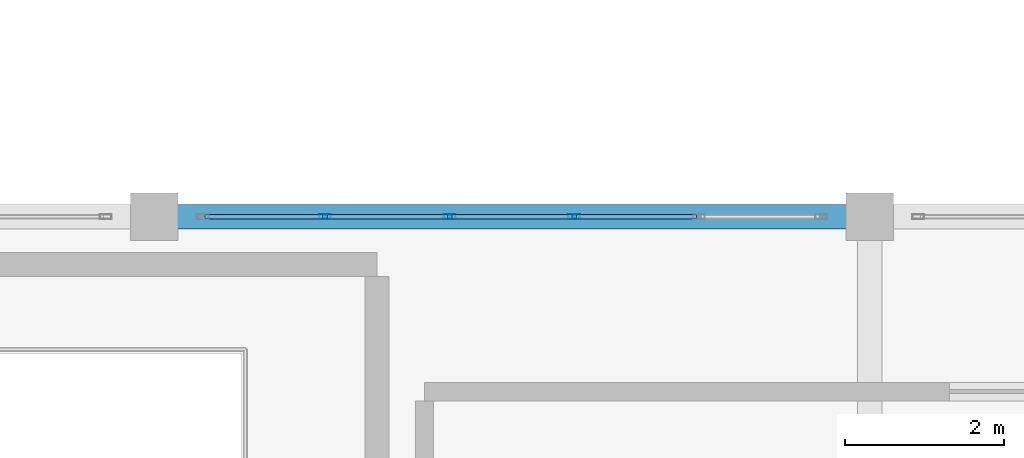
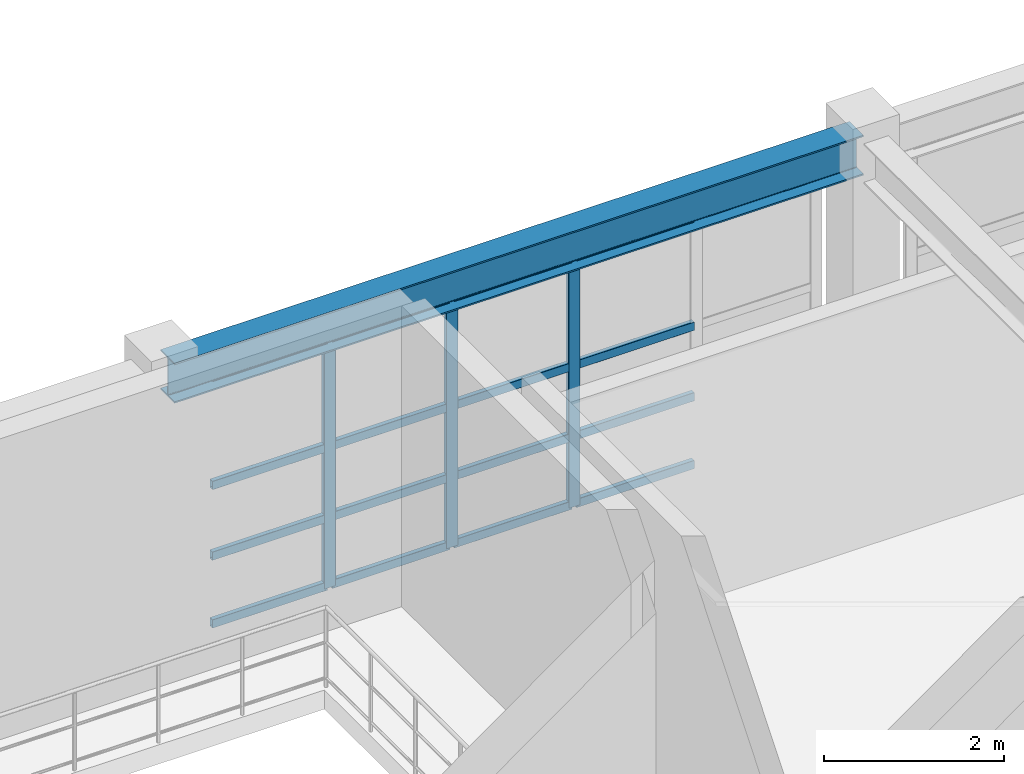
# One storey, part 42 of 130: 19 members, 1 beam, 1 element without a shape of its own.
"""IFC4 building model written with IfcOpenShell, lengths in metres."""

from ifc_helpers import new_model, si_unit, direction, frame, origin, origin_2d, place, context, subcontext, project, spatial, hollow_rectangle, i_section, extrude, material, material_profile, profile_set, type_object, element, aggregate, save


model = new_model("IFC4")

# Units and contexts
model_context = context("Model", 3, precision=1e-05, world=origin(), true_north=direction((0.0, 1.0)))
body_context = subcontext(model_context, "Body", "Model", "MODEL_VIEW")
ifc_project = project(units=[si_unit("LENGTHUNIT", "METRE"), si_unit("AREAUNIT", "SQUARE_METRE"), si_unit("VOLUMEUNIT", "CUBIC_METRE"), si_unit("PLANEANGLEUNIT", "RADIAN"), si_unit("MASSUNIT", "GRAM", prefix="KILO")], contexts=[model_context])

# Site, building, storey
site_placement = place(None, origin())
site = spatial("IfcSite", under=ifc_project, at=site_placement, CompositionType="ELEMENT")
building_placement = place(site_placement, origin())
building = spatial("IfcBuilding", under=site, at=building_placement, Name="Miravela Opera House", CompositionType="ELEMENT")
storey_placement = place(building_placement, frame((0.0, 0.0, 9.52001953125)))
storey = spatial("IfcBuildingStorey", under=building, at=storey_placement, Name="L02", CompositionType="ELEMENT", Elevation=9.52001953125)

# Curtain wall, members
ifc_material_1 = material(Name="Anodised architectural bronze aluminium 6063-T6", Category="aluminium")
curtain_wall_type = type_object("IfcCurtainWallType", Name="ARC-CW-06", PredefinedType="NOTDEFINED", material=ifc_material_1)
curtain_wall_placement = place(storey_placement, origin())
curtain_wall = element("IfcCurtainWall", 1, at=curtain_wall_placement, inside=storey, type_object=curtain_wall_type, Name="Courtyard Arcade Curtain Wall CW-L02-187", PredefinedType="NOTDEFINED")
ifc_material_profile_1 = material_profile(ifc_material_1, hollow_rectangle(XDim=0.06005859375, YDim=0.14990234375, WallThickness=0.00390625, InnerFilletRadius=0.001953125, OuterFilletRadius=0.00390625, at=origin_2d()), Name="CWM-60X150")
ifc_profile_set_1 = profile_set([ifc_material_profile_1])
member_type_1 = type_object("IfcMemberType", Name="ARC-CWM-150", PredefinedType="MULLION", material=ifc_profile_set_1)
member_1_placement = place(storey_placement, frame((128.14794921875, 9.0, 0.0), z_axis=(0.0, 0.0, 1.0), x_axis=(0.0, 1.0, 0.0)))
member_1 = element("IfcMember", 2, at=member_1_placement, type_object=member_type_1, Name="CW-06 mullion 2", PredefinedType="MULLION", context=body_context, shape_type="SweptSolid", body=[
    extrude(hollow_rectangle(XDim=0.06005859375, YDim=0.14990234375, WallThickness=0.00390625, InnerFilletRadius=0.001953125, OuterFilletRadius=0.00390625, at=origin_2d()), origin(), (0.0, 0.0, 1.0), 3.2900390625),
])
member_2_placement = place(storey_placement, frame((129.716064453125, 9.0, 0.0), z_axis=(0.0, 0.0, 1.0), x_axis=(0.0, 1.0, 0.0)))
member_2 = element("IfcMember", 3, at=member_2_placement, type_object=member_type_1, Name="CW-06 mullion 3", PredefinedType="MULLION", context=body_context, shape_type="SweptSolid", body=[
    extrude(hollow_rectangle(XDim=0.06005859375, YDim=0.14990234375, WallThickness=0.00390625, InnerFilletRadius=0.001953125, OuterFilletRadius=0.00390625, at=origin_2d()), origin(), (0.0, 0.0, 1.0), 3.2900390625),
])
member_3_placement = place(storey_placement, frame((131.283935546875, 9.0, 0.0), z_axis=(0.0, 0.0, 1.0), x_axis=(0.0, 1.0, 0.0)))
member_3 = element("IfcMember", 4, at=member_3_placement, type_object=member_type_1, Name="CW-06 mullion 4", PredefinedType="MULLION", context=body_context, shape_type="SweptSolid", body=[
    extrude(hollow_rectangle(XDim=0.06005859375, YDim=0.14990234375, WallThickness=0.00390625, InnerFilletRadius=0.001953125, OuterFilletRadius=0.00390625, at=origin_2d()), origin(), (0.0, 0.0, 1.0), 3.2900390625),
])
ifc_material_profile_2 = material_profile(ifc_material_1, hollow_rectangle(XDim=0.06005859375, YDim=0.114990234375, WallThickness=0.00390625, InnerFilletRadius=0.001953125, OuterFilletRadius=0.00390625, at=origin_2d()), Name="CWT-60X115")
ifc_profile_set_2 = profile_set([ifc_material_profile_2])
member_type_2 = type_object("IfcMemberType", Name="ARC-CWT-115", PredefinedType="USERDEFINED", material=ifc_profile_set_2)
member_4_placement = place(storey_placement, frame((126.639892578125, 9.0, 0.030029296875), z_axis=(1.0, 0.0, 0.0), x_axis=(0.0, 1.0, 0.0)))
member_4 = element("IfcMember", 5, at=member_4_placement, type_object=member_type_2, Name="CW-06 transom 1.1", ObjectType="TRANSOM", PredefinedType="USERDEFINED", context=body_context, shape_type="SweptSolid", body=[
    extrude(hollow_rectangle(XDim=0.06005859375, YDim=0.114990234375, WallThickness=0.00390625, InnerFilletRadius=0.001953125, OuterFilletRadius=0.00390625, at=origin_2d()), origin(), (0.0, 0.0, 1.0), 1.47802734375),
])
member_5_placement = place(storey_placement, frame((126.639892578125, 9.0, 0.949951171875), z_axis=(1.0, 0.0, 0.0), x_axis=(0.0, 1.0, 0.0)))
member_5 = element("IfcMember", 6, at=member_5_placement, type_object=member_type_2, Name="CW-06 transom 1.2", ObjectType="TRANSOM", PredefinedType="USERDEFINED", context=body_context, shape_type="SweptSolid", body=[
    extrude(hollow_rectangle(XDim=0.06005859375, YDim=0.114990234375, WallThickness=0.00390625, InnerFilletRadius=0.001953125, OuterFilletRadius=0.00390625, at=origin_2d()), origin(), (0.0, 0.0, 1.0), 1.47802734375),
])
member_6_placement = place(storey_placement, frame((126.639892578125, 9.0, 1.908203125), z_axis=(1.0, 0.0, 0.0), x_axis=(0.0, 1.0, 0.0)))
member_6 = element("IfcMember", 7, at=member_6_placement, type_object=member_type_2, Name="CW-06 transom 1.3", ObjectType="TRANSOM", PredefinedType="USERDEFINED", context=body_context, shape_type="SweptSolid", body=[
    extrude(hollow_rectangle(XDim=0.06005859375, YDim=0.114990234375, WallThickness=0.00390625, InnerFilletRadius=0.001953125, OuterFilletRadius=0.00390625, at=origin_2d()), origin(), (0.0, 0.0, 1.0), 1.47802734375),
])
member_7_placement = place(storey_placement, frame((126.639892578125, 9.0, 3.260009765625), z_axis=(1.0, 0.0, 0.0), x_axis=(0.0, 1.0, 0.0)))
member_7 = element("IfcMember", 8, at=member_7_placement, type_object=member_type_2, Name="CW-06 transom 1.4", ObjectType="TRANSOM", PredefinedType="USERDEFINED", context=body_context, shape_type="SweptSolid", body=[
    extrude(hollow_rectangle(XDim=0.06005859375, YDim=0.114990234375, WallThickness=0.00390625, InnerFilletRadius=0.001953125, OuterFilletRadius=0.00390625, at=origin_2d()), origin(), (0.0, 0.0, 1.0), 1.47802734375),
])
member_8_placement = place(storey_placement, frame((128.177978515625, 9.0, 0.030029296875), z_axis=(1.0, 0.0, 0.0), x_axis=(0.0, 1.0, 0.0)))
member_8 = element("IfcMember", 9, at=member_8_placement, type_object=member_type_2, Name="CW-06 transom 2.1", ObjectType="TRANSOM", PredefinedType="USERDEFINED", context=body_context, shape_type="SweptSolid", body=[
    extrude(hollow_rectangle(XDim=0.06005859375, YDim=0.114990234375, WallThickness=0.00390625, InnerFilletRadius=0.001953125, OuterFilletRadius=0.00390625, at=origin_2d()), origin(), (0.0, 0.0, 1.0), 1.508056640625),
])
member_9_placement = place(storey_placement, frame((128.177978515625, 9.0, 0.949951171875), z_axis=(1.0, 0.0, 0.0), x_axis=(0.0, 1.0, 0.0)))
member_9 = element("IfcMember", 10, at=member_9_placement, type_object=member_type_2, Name="CW-06 transom 2.2", ObjectType="TRANSOM", PredefinedType="USERDEFINED", context=body_context, shape_type="SweptSolid", body=[
    extrude(hollow_rectangle(XDim=0.06005859375, YDim=0.114990234375, WallThickness=0.00390625, InnerFilletRadius=0.001953125, OuterFilletRadius=0.00390625, at=origin_2d()), origin(), (0.0, 0.0, 1.0), 1.508056640625),
])
member_10_placement = place(storey_placement, frame((128.177978515625, 9.0, 1.908203125), z_axis=(1.0, 0.0, 0.0), x_axis=(0.0, 1.0, 0.0)))
member_10 = element("IfcMember", 11, at=member_10_placement, type_object=member_type_2, Name="CW-06 transom 2.3", ObjectType="TRANSOM", PredefinedType="USERDEFINED", context=body_context, shape_type="SweptSolid", body=[
    extrude(hollow_rectangle(XDim=0.06005859375, YDim=0.114990234375, WallThickness=0.00390625, InnerFilletRadius=0.001953125, OuterFilletRadius=0.00390625, at=origin_2d()), origin(), (0.0, 0.0, 1.0), 1.508056640625),
])
member_11_placement = place(storey_placement, frame((128.177978515625, 9.0, 3.260009765625), z_axis=(1.0, 0.0, 0.0), x_axis=(0.0, 1.0, 0.0)))
member_11 = element("IfcMember", 12, at=member_11_placement, type_object=member_type_2, Name="CW-06 transom 2.4", ObjectType="TRANSOM", PredefinedType="USERDEFINED", context=body_context, shape_type="SweptSolid", body=[
    extrude(hollow_rectangle(XDim=0.06005859375, YDim=0.114990234375, WallThickness=0.00390625, InnerFilletRadius=0.001953125, OuterFilletRadius=0.00390625, at=origin_2d()), origin(), (0.0, 0.0, 1.0), 1.508056640625),
])
member_12_placement = place(storey_placement, frame((129.74609375, 9.0, 0.030029296875), z_axis=(1.0, 0.0, 0.0), x_axis=(0.0, 1.0, 0.0)))
member_12 = element("IfcMember", 13, at=member_12_placement, type_object=member_type_2, Name="CW-06 transom 3.1", ObjectType="TRANSOM", PredefinedType="USERDEFINED", context=body_context, shape_type="SweptSolid", body=[
    extrude(hollow_rectangle(XDim=0.06005859375, YDim=0.114990234375, WallThickness=0.00390625, InnerFilletRadius=0.001953125, OuterFilletRadius=0.00390625, at=origin_2d()), origin(), (0.0, 0.0, 1.0), 1.5078125),
])
member_13_placement = place(storey_placement, frame((129.74609375, 9.0, 0.949951171875), z_axis=(1.0, 0.0, 0.0), x_axis=(0.0, 1.0, 0.0)))
member_13 = element("IfcMember", 14, at=member_13_placement, type_object=member_type_2, Name="CW-06 transom 3.2", ObjectType="TRANSOM", PredefinedType="USERDEFINED", context=body_context, shape_type="SweptSolid", body=[
    extrude(hollow_rectangle(XDim=0.06005859375, YDim=0.114990234375, WallThickness=0.00390625, InnerFilletRadius=0.001953125, OuterFilletRadius=0.00390625, at=origin_2d()), origin(), (0.0, 0.0, 1.0), 1.5078125),
])
member_14_placement = place(storey_placement, frame((129.74609375, 9.0, 1.908203125), z_axis=(1.0, 0.0, 0.0), x_axis=(0.0, 1.0, 0.0)))
member_14 = element("IfcMember", 15, at=member_14_placement, type_object=member_type_2, Name="CW-06 transom 3.3", ObjectType="TRANSOM", PredefinedType="USERDEFINED", context=body_context, shape_type="SweptSolid", body=[
    extrude(hollow_rectangle(XDim=0.06005859375, YDim=0.114990234375, WallThickness=0.00390625, InnerFilletRadius=0.001953125, OuterFilletRadius=0.00390625, at=origin_2d()), origin(), (0.0, 0.0, 1.0), 1.5078125),
])
member_15_placement = place(storey_placement, frame((129.74609375, 9.0, 3.260009765625), z_axis=(1.0, 0.0, 0.0), x_axis=(0.0, 1.0, 0.0)))
member_15 = element("IfcMember", 16, at=member_15_placement, type_object=member_type_2, Name="CW-06 transom 3.4", ObjectType="TRANSOM", PredefinedType="USERDEFINED", context=body_context, shape_type="SweptSolid", body=[
    extrude(hollow_rectangle(XDim=0.06005859375, YDim=0.114990234375, WallThickness=0.00390625, InnerFilletRadius=0.001953125, OuterFilletRadius=0.00390625, at=origin_2d()), origin(), (0.0, 0.0, 1.0), 1.5078125),
])
member_16_placement = place(storey_placement, frame((131.31396484375, 9.0, 0.030029296875), z_axis=(1.0, 0.0, 0.0), x_axis=(0.0, 1.0, 0.0)))
member_16 = element("IfcMember", 17, at=member_16_placement, type_object=member_type_2, Name="CW-06 transom 4.1", ObjectType="TRANSOM", PredefinedType="USERDEFINED", context=body_context, shape_type="SweptSolid", body=[
    extrude(hollow_rectangle(XDim=0.06005859375, YDim=0.114990234375, WallThickness=0.00390625, InnerFilletRadius=0.001953125, OuterFilletRadius=0.00390625, at=origin_2d()), origin(), (0.0, 0.0, 1.0), 1.508056640625),
])
member_17_placement = place(storey_placement, frame((131.31396484375, 9.0, 0.949951171875), z_axis=(1.0, 0.0, 0.0), x_axis=(0.0, 1.0, 0.0)))
member_17 = element("IfcMember", 18, at=member_17_placement, type_object=member_type_2, Name="CW-06 transom 4.2", ObjectType="TRANSOM", PredefinedType="USERDEFINED", context=body_context, shape_type="SweptSolid", body=[
    extrude(hollow_rectangle(XDim=0.06005859375, YDim=0.114990234375, WallThickness=0.00390625, InnerFilletRadius=0.001953125, OuterFilletRadius=0.00390625, at=origin_2d()), origin(), (0.0, 0.0, 1.0), 1.508056640625),
])
member_18_placement = place(storey_placement, frame((131.31396484375, 9.0, 1.908203125), z_axis=(1.0, 0.0, 0.0), x_axis=(0.0, 1.0, 0.0)))
member_18 = element("IfcMember", 19, at=member_18_placement, type_object=member_type_2, Name="CW-06 transom 4.3", ObjectType="TRANSOM", PredefinedType="USERDEFINED", context=body_context, shape_type="SweptSolid", body=[
    extrude(hollow_rectangle(XDim=0.06005859375, YDim=0.114990234375, WallThickness=0.00390625, InnerFilletRadius=0.001953125, OuterFilletRadius=0.00390625, at=origin_2d()), origin(), (0.0, 0.0, 1.0), 1.508056640625),
])
member_19_placement = place(storey_placement, frame((131.31396484375, 9.0, 3.260009765625), z_axis=(1.0, 0.0, 0.0), x_axis=(0.0, 1.0, 0.0)))
member_19 = element("IfcMember", 20, at=member_19_placement, type_object=member_type_2, Name="CW-06 transom 4.4", ObjectType="TRANSOM", PredefinedType="USERDEFINED", context=body_context, shape_type="SweptSolid", body=[
    extrude(hollow_rectangle(XDim=0.06005859375, YDim=0.114990234375, WallThickness=0.00390625, InnerFilletRadius=0.001953125, OuterFilletRadius=0.00390625, at=origin_2d()), origin(), (0.0, 0.0, 1.0), 1.508056640625),
])
aggregate(curtain_wall, [member_1, member_2, member_3, member_4, member_5, member_6, member_7, member_8, member_9, member_10, member_11, member_12, member_13, member_14, member_15, member_16, member_17, member_18, member_19])

# Beam
ifc_material_2 = material(Name="Structural steel ASTM A992 Gr. 50", Category="steel")
ifc_material_profile_3 = material_profile(ifc_material_2, i_section(OverallWidth=0.31201171875, OverallDepth=0.54296875, WebThickness=0.0126953125, FlangeThickness=0.020263671875, FilletRadius=0.01611328125, at=origin_2d()), Name="W530X150")
ifc_profile_set_3 = profile_set([ifc_material_profile_3])
beam_type = type_object("IfcBeamType", Name="STR-BM-W530X150", PredefinedType="BEAM", material=ifc_profile_set_3)
beam_placement = place(storey_placement, frame((126.080078125, 9.0, 3.568359375), z_axis=(1.0, 0.0, 0.0), x_axis=(0.0, 1.0, 0.0)))
element("IfcBeam", 21, at=beam_placement, inside=storey, type_object=beam_type, Name="Roof Eave Girder ROOF-V4-SE N5", PredefinedType="BEAM", context=body_context, shape_type="SweptSolid", body=[
    extrude(i_section(OverallWidth=0.31201171875, OverallDepth=0.54296875, WebThickness=0.0126953125, FlangeThickness=0.020263671875, FilletRadius=0.01611328125, at=origin_2d()), origin(), (0.0, 0.0, 1.0), 8.83984375),
])

save(model, "model.ifc")
